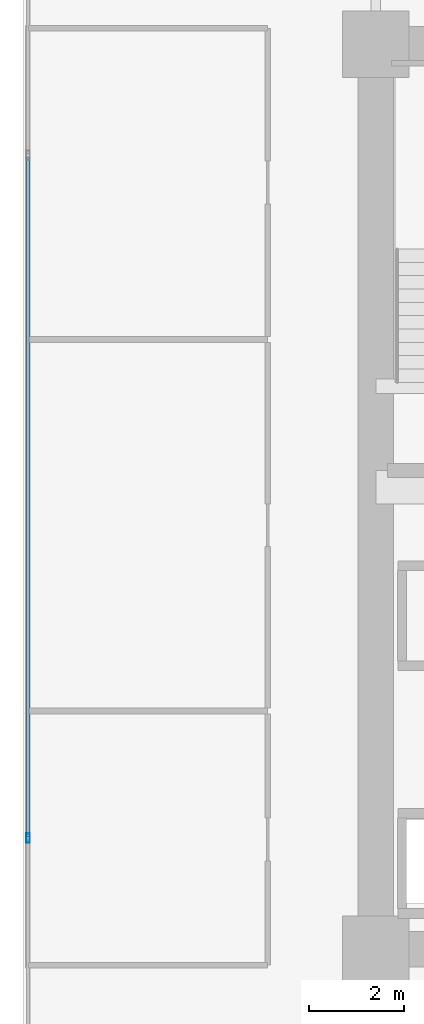
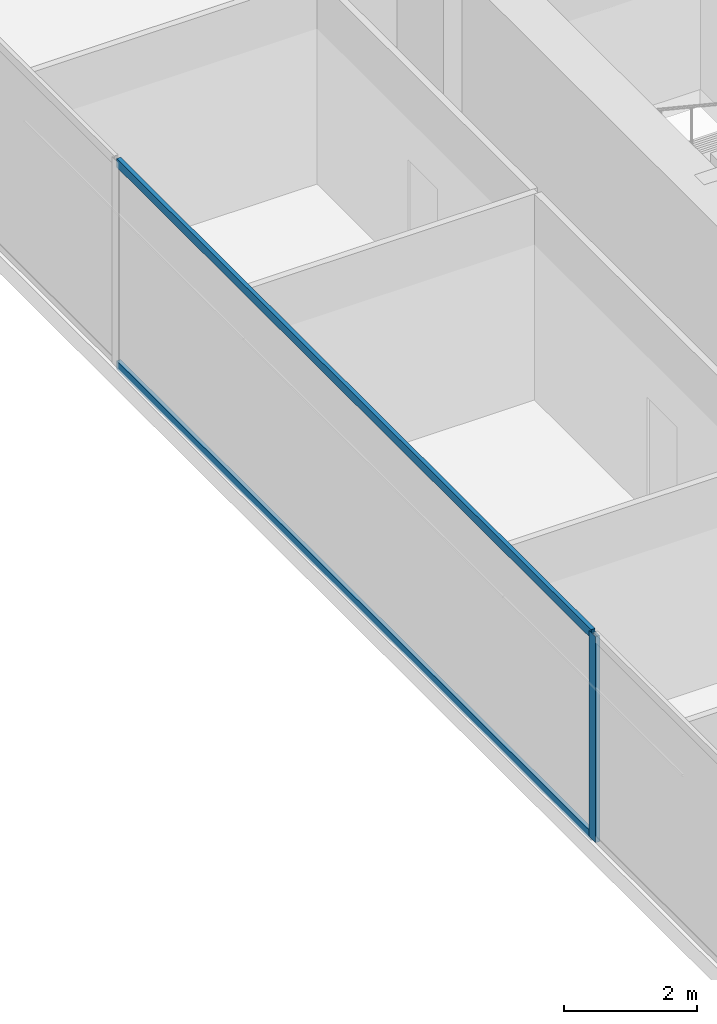
# One storey, part 6 of 32: 3 members, 1 element without a shape of its own.
"""IFC4 building model written with IfcOpenShell, lengths in metres."""

from ifc_helpers import new_model, si_unit, direction, frame, origin, origin_2d, place, context, subcontext, project, spatial, hollow_rectangle, extrude, source, transform, mapped, material, layer, layer_set, material_profile, profile_set, type_object, type_shapes, element, aggregate, save


model = new_model("IFC4")

# Units and contexts
model_context = context("Model", 3, precision=1e-05, world=origin(), true_north=direction((0.0, 1.0)))
body_context = subcontext(model_context, "Body", "Model", "MODEL_VIEW")
ifc_project = project(units=[si_unit("LENGTHUNIT", "METRE"), si_unit("AREAUNIT", "SQUARE_METRE"), si_unit("VOLUMEUNIT", "CUBIC_METRE"), si_unit("PLANEANGLEUNIT", "RADIAN"), si_unit("MASSUNIT", "GRAM", prefix="KILO")], contexts=[model_context])

# Site, building, storey
site_placement = place(None, origin())
site = spatial("IfcSite", under=ifc_project, at=site_placement, CompositionType="ELEMENT")
building_placement = place(site_placement, origin())
building = spatial("IfcBuilding", under=site, at=building_placement, Name="Haelvirn Gate Laboratories", CompositionType="ELEMENT")
storey_placement = place(building_placement, frame((0.0, 0.0, 33.39990234375)))
storey = spatial("IfcBuildingStorey", under=building, at=storey_placement, Name="L08", CompositionType="ELEMENT", Elevation=33.39990234375)

# Curtain wall, members
ifc_material_1 = material(Name="Anodised bronze unitised aluminium & triple low-E glass", Category="aluminium")
ifc_layer = layer(ifc_material_1, 0.18408203125, Name="CW-SYS-2")
ifc_layer_set = layer_set([ifc_layer], Name="Anodised bronze unitised aluminium & triple low-E glass")
curtain_wall_type = type_object("IfcCurtainWallType", Name="CW-SYS-2", PredefinedType="NOTDEFINED", material=ifc_layer_set)
curtain_wall_placement = place(storey_placement, origin())
curtain_wall = element("IfcCurtainWall", 1, at=curtain_wall_placement, inside=storey, type_object=curtain_wall_type, Name="L08 Unitised Curtain Wall CW-L08-P0-E17", PredefinedType="NOTDEFINED")
ifc_material_2 = material(Name="Extruded aluminium 6063-T6 (anodised bronze)", Category="aluminium")
ifc_material_profile_1 = material_profile(ifc_material_2, hollow_rectangle(XDim=0.074951171875, YDim=0.199951171875, WallThickness=0.0048828125, at=origin_2d()), Name="CWM-200x75x5")
ifc_profile_set_1 = profile_set([ifc_material_profile_1], Name="Extruded aluminium 6063-T6 (anodised bronze)")
member_type_1 = type_object("IfcMemberType", Name="CWM-T200", PredefinedType="MULLION", material=ifc_profile_set_1)
shared_shape_1 = source(origin(), body_context, "Body", "SweptSolid", [
    extrude(hollow_rectangle(XDim=0.074951171875, YDim=0.199951171875, WallThickness=0.0048828125, at=origin_2d()), origin(), (0.0, 0.0, 1.0), 3.780029296875),
])
type_shapes(member_type_1, [shared_shape_1])
member_1_placement = place(storey_placement, frame((0.10009765625, 17.13330078125, 0.0), z_axis=(0.0, 0.0, 1.0), x_axis=(1.0, 0.0, 0.0)))
member_1 = element("IfcMember", 2, at=member_1_placement, type_object=member_type_1, Name="CW2 mullion 3", PredefinedType="MULLION", context=body_context, shape_type="MappedRepresentation", body=[
    mapped(shared_shape_1, transform((0.0, 0.0, 0.0), scale=1.0)),
])
ifc_material_profile_2 = material_profile(ifc_material_2, hollow_rectangle(XDim=0.070068359375, YDim=0.159912109375, WallThickness=0.0048828125, at=origin_2d()), Name="CWT-160x70x5")
ifc_profile_set_2 = profile_set([ifc_material_profile_2], Name="Extruded aluminium 6063-T6 (anodised bronze)")
member_type_2 = type_object("IfcMemberType", Name="CWT-T160", PredefinedType="USERDEFINED", material=ifc_profile_set_2)
shared_shape_2 = source(origin(), body_context, "Body", "SweptSolid", [
    extrude(hollow_rectangle(XDim=0.070068359375, YDim=0.159912109375, WallThickness=0.0048828125, at=origin_2d()), origin(), (0.0, 0.0, 1.0), 14.25830078125),
])
type_shapes(member_type_2, [shared_shape_2])
member_2_placement = place(storey_placement, frame((0.10009765625, 31.42919921875, 0.03515625), z_axis=(0.0, -1.0, 0.0), x_axis=(1.0, 0.0, 0.0)))
member_2 = element("IfcMember", 3, at=member_2_placement, type_object=member_type_2, Name="CW2 transom 2.1", ObjectType="TRANSOM", PredefinedType="USERDEFINED", context=body_context, shape_type="MappedRepresentation", body=[
    mapped(shared_shape_2, transform((0.0, 0.0, 0.0), scale=1.0)),
])
member_3_placement = place(storey_placement, frame((0.10009765625, 31.42919921875, 3.7451171875), z_axis=(0.0, -1.0, 0.0), x_axis=(1.0, 0.0, 0.0)))
member_3 = element("IfcMember", 4, at=member_3_placement, type_object=member_type_2, Name="CW2 transom 2.2", ObjectType="TRANSOM", PredefinedType="USERDEFINED", context=body_context, shape_type="MappedRepresentation", body=[
    mapped(shared_shape_2, transform((0.0, 0.0, 0.0), scale=1.0)),
])
aggregate(curtain_wall, [member_1, member_2, member_3])

save(model, "model.ifc")
